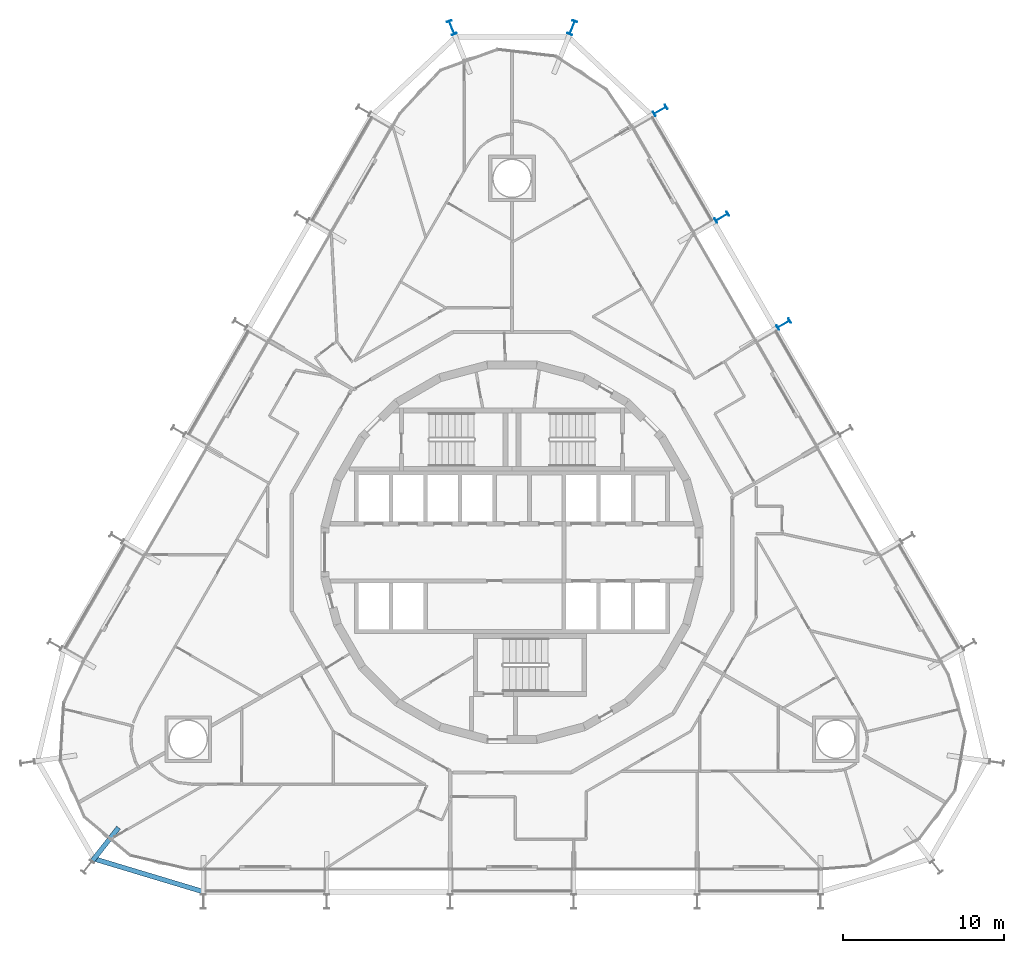
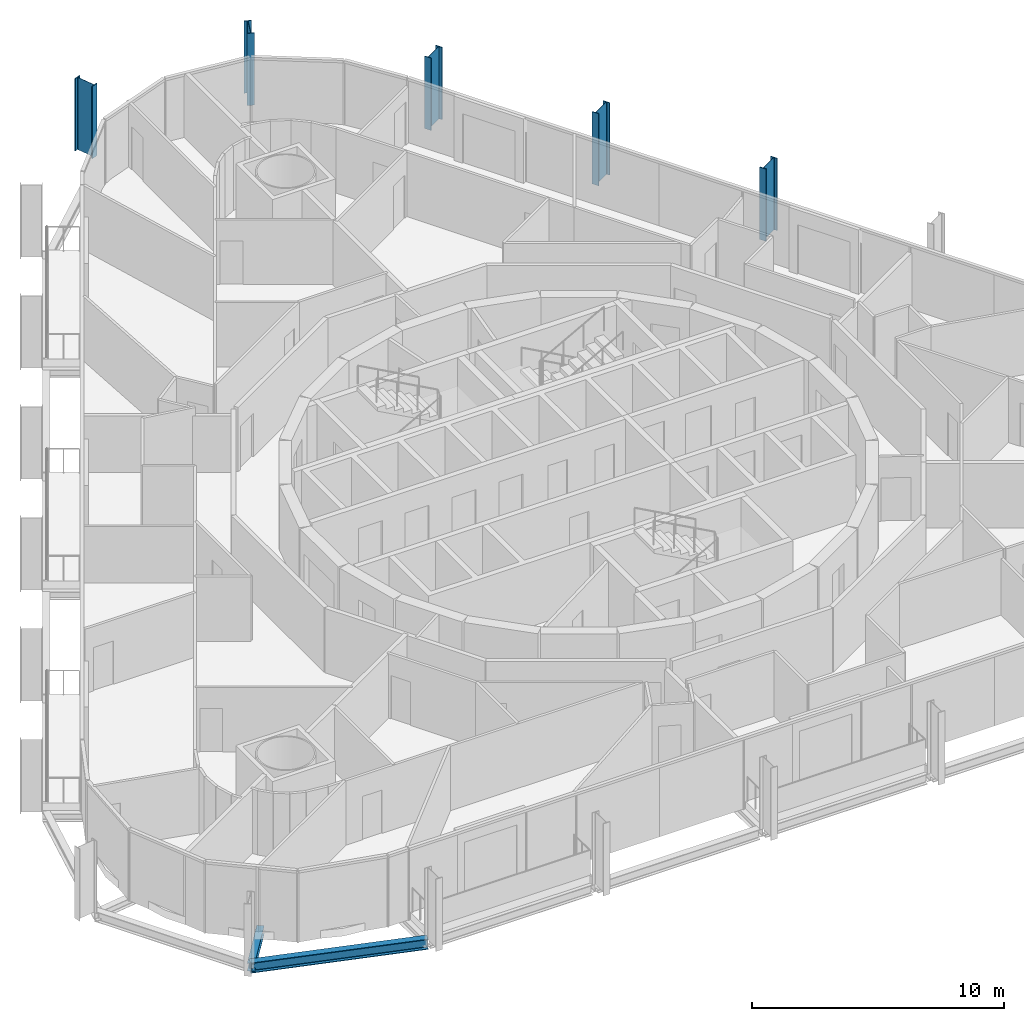
# One storey, part 2 of 21: 5 columns, 2 beams.
"""IFC4 building model written with IfcOpenShell, lengths in metres."""

from ifc_helpers import new_model, si_unit, direction, frame, origin, origin_2d, place, context, subcontext, project, spatial, i_section, extrude, material, material_profile, profile_set, type_object, element, save


model = new_model("IFC4")

# Units and contexts
model_context = context("Model", 3, precision=1e-05, world=origin(), true_north=direction((0.0, 1.0)))
body_context = subcontext(model_context, "Body", "Model", "MODEL_VIEW")
ifc_project = project(units=[si_unit("LENGTHUNIT", "METRE"), si_unit("AREAUNIT", "SQUARE_METRE"), si_unit("VOLUMEUNIT", "CUBIC_METRE"), si_unit("PLANEANGLEUNIT", "RADIAN"), si_unit("MASSUNIT", "GRAM", prefix="KILO")], contexts=[model_context])

# Site, building, storey
site_placement = place(None, origin())
site = spatial("IfcSite", under=ifc_project, at=site_placement, CompositionType="ELEMENT")
building_placement = place(site_placement, origin())
building = spatial("IfcBuilding", under=site, at=building_placement, Name="Spindle Arch Residences", CompositionType="ELEMENT")
storey_placement = place(building_placement, frame((0.0, 0.0, 48.89990234375)))
storey = spatial("IfcBuildingStorey", under=building, at=storey_placement, Name="L10", CompositionType="ELEMENT", Elevation=48.89990234375)

# Columns
ifc_material_1 = material(Name="Steel S460ML, intumescent coating R 240", Category="steel")
ifc_material_profile_1 = material_profile(ifc_material_1, i_section(OverallWidth=0.300048828125, OverallDepth=0.89990234375, WebThickness=0.0185546875, FlangeThickness=0.034912109375, FilletRadius=0.030029296875, at=origin_2d()), Name="HEB 900")
ifc_profile_set_1 = profile_set([ifc_material_profile_1], Name="Steel S460ML, intumescent coating R 240")
column_type = type_object("IfcColumnType", Name="Exoskeleton post HEB 900", PredefinedType="COLUMN", material=ifc_profile_set_1)
for number, where, z_axis, x_axis, name in (
    (1, (16.898681640625, 14.1904296875, -0.3798828125), (0.0, 0.0, 1.0), (0.50000017485, -0.866025302835, 0.0), "Exoskeleton post 9"),
    (2, (13.05859375, 20.841796875, -0.3798828125), (0.0, 0.0, 1.0), (0.50000017485, -0.866025302835, 0.0), "Exoskeleton post 10"),
    (3, (9.218505859375, 27.492919921875, -0.3798828125), (0.0, 0.0, 1.0), (0.50000017485, -0.866025302835, 0.0), "Exoskeleton post 11"),
    (4, (3.748291015625, 32.638671875, -0.3798828125), (0.0, 0.0, 1.0), (0.928589751246, -0.371107900591, 0.0), "Exoskeleton post 12"),
    (5, (-3.748291015625, 32.638671875, -0.3798828125), (0.0, 0.0, 1.0), (0.928589751246, 0.371107900591, 0.0), "Exoskeleton post 13"),
):
    element("IfcColumn", number, at=place(storey_placement, frame(where, z_axis=z_axis, x_axis=x_axis)), inside=storey, type_object=column_type, Name=name, PredefinedType="COLUMN", context=body_context, shape_type="SweptSolid", body=[
        extrude(i_section(OverallWidth=0.300048828125, OverallDepth=0.89990234375, WebThickness=0.0185546875, FlangeThickness=0.034912109375, FilletRadius=0.030029296875, at=origin_2d()), origin(), (0.0, 0.0, 1.0), 3.5),
    ])

# Beams
ifc_material_2 = material(Name="Steel S460ML, intumescent coating R 120", Category="steel")
ifc_material_profile_2 = material_profile(ifc_material_2, i_section(OverallWidth=0.300048828125, OverallDepth=0.5, WebThickness=0.014404296875, FlangeThickness=0.028076171875, FilletRadius=0.027099609375, at=origin_2d()), Name="HEB 500")
ifc_profile_set_2 = profile_set([ifc_material_profile_2], Name="Steel S460ML, intumescent coating R 120")
beam_type_1 = type_object("IfcBeamType", Name="Exoskeleton edge beam HEB 500", PredefinedType="BEAM", material=ifc_profile_set_2)
beam_1_placement = place(storey_placement, frame((-26.0751953125, -19.048095703125, -0.6298828125), z_axis=(0.95756732363, -0.288209681856, 0.0), x_axis=(0.288209681856, 0.95756732363, 0.0)))
element("IfcBeam", 6, at=beam_1_placement, inside=storey, type_object=beam_type_1, Name="Exoskeleton edge beam 21", PredefinedType="BEAM", context=body_context, shape_type="SweptSolid", body=[
    extrude(i_section(OverallWidth=0.300048828125, OverallDepth=0.5, WebThickness=0.014404296875, FlangeThickness=0.028076171875, FilletRadius=0.027099609375, at=origin_2d()), origin(), (0.0, 0.0, 1.0), 7.250244140625),
])
ifc_material_3 = material(Name="Steel S460ML, intumescent coating R 120", Category="steel")
ifc_material_profile_3 = material_profile(ifc_material_3, i_section(OverallWidth=0.300048828125, OverallDepth=0.389892578125, WebThickness=0.010986328125, FlangeThickness=0.01904296875, FilletRadius=0.027099609375, at=origin_2d()), Name="HEA 400")
ifc_profile_set_3 = profile_set([ifc_material_profile_3], Name="Steel S460ML, intumescent coating R 120")
beam_type_2 = type_object("IfcBeamType", Name="Floor outrigger HEA 400", PredefinedType="BEAM", material=ifc_profile_set_3)
beam_2_placement = place(storey_placement, frame((-26.11328125, -19.211669921875, -0.574951171875), z_axis=(0.618586231558, 0.785716917297, 0.0), x_axis=(-0.785716917297, 0.618586231558, 0.0)))
element("IfcBeam", 7, at=beam_2_placement, inside=storey, type_object=beam_type_2, Name="Floor outrigger 21", PredefinedType="BEAM", context=body_context, shape_type="SweptSolid", body=[
    extrude(i_section(OverallWidth=0.300048828125, OverallDepth=0.389892578125, WebThickness=0.010986328125, FlangeThickness=0.01904296875, FilletRadius=0.027099609375, at=origin_2d()), origin(), (0.0, 0.0, 1.0), 2.64990234375),
])

save(model, "model.ifc")
